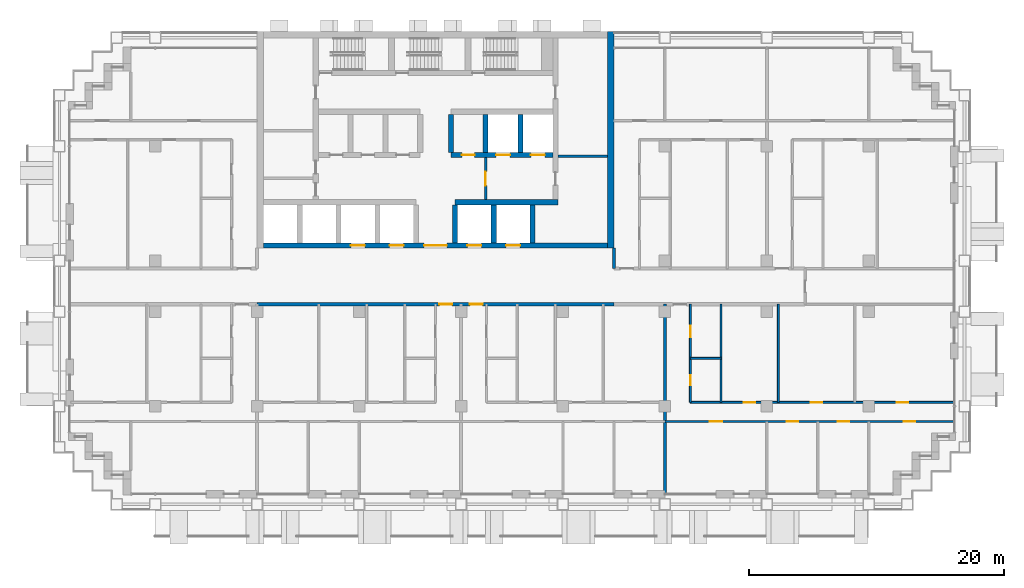
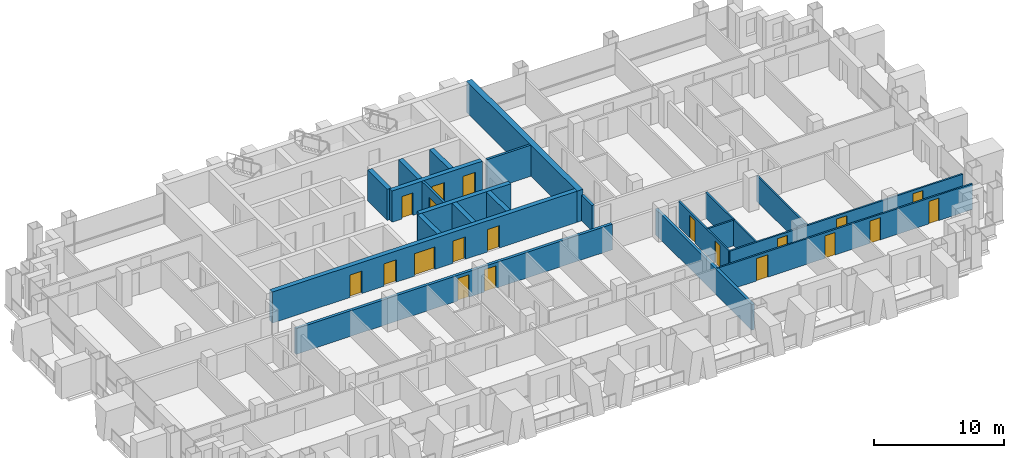
# One storey, part 11 of 17: 21 walls, 20 doors, 20 openings.
"""IFC4 building model written with IfcOpenShell, lengths in metres."""

from ifc_helpers import new_model, si_unit, direction, frame, frame_2d, origin, place, context, subcontext, project, spatial, rectangle, extrude, material, layer, layer_set, type_object, element, fill, save


model = new_model("IFC4")

# Units and contexts
model_context = context("Model", 3, precision=1e-05, world=origin(), true_north=direction((0.0, 1.0)))
body_context = subcontext(model_context, "Body", "Model", "MODEL_VIEW")
ifc_project = project(units=[si_unit("LENGTHUNIT", "METRE"), si_unit("AREAUNIT", "SQUARE_METRE"), si_unit("VOLUMEUNIT", "CUBIC_METRE"), si_unit("PLANEANGLEUNIT", "RADIAN"), si_unit("MASSUNIT", "GRAM", prefix="KILO")], contexts=[model_context])

# Site, building, storey
site_placement = place(None, origin())
site = spatial("IfcSite", under=ifc_project, at=site_placement, CompositionType="ELEMENT")
building_placement = place(site_placement, origin())
building = spatial("IfcBuilding", under=site, at=building_placement, Name="Vidyagriha Tower", CompositionType="ELEMENT")
storey_placement = place(building_placement, frame((0.0, 0.0, 87.10009765625)))
storey = spatial("IfcBuildingStorey", under=building, at=storey_placement, Name="L22", CompositionType="ELEMENT", Elevation=87.10009765625)

# Wall, openings, doors
ifc_material_1 = material(Name="Concrete C60/75", Category="concrete")
ifc_layer_1 = layer(ifc_material_1, 0.39990234375)
ifc_layer_set_1 = layer_set([ifc_layer_1], Name="Concrete C60/75")
wall_type_1 = type_object("IfcWallType", Name="Core shear wall 400 mm", PredefinedType="SHEAR", material=ifc_layer_set_1)
wall_1_placement = place(storey_placement, frame((-13.5, 3.199951171875, 0.0)))
wall_1 = element("IfcWall", 1, at=wall_1_placement, inside=storey, type_object=wall_type_1, Name="Core front wall", PredefinedType="SHEAR", context=body_context, shape_type="SweptSolid", body=[
    extrude(rectangle(XDim=27.0, YDim=0.39990234375, at=frame_2d((13.5, 0.0))), origin(), (0.0, 0.0, 1.0), 2.919921875),
])
opening_1_placement = place(wall_1_placement, frame((6.861083984375, 0.0, 0.0)))
opening_1 = element("IfcOpeningElement", 2, at=opening_1_placement, cuts=wall_1, Name="Opening LD22-01", PredefinedType="OPENING", context=body_context, shape_type="SweptSolid", body=[
    extrude(rectangle(XDim=1.10009765625, YDim=2.10009765625, at=frame_2d((0.550048828125, 1.050048828125))), frame((0.0, 0.2099609375, 0.0), z_axis=(0.0, -1.0, 0.0), x_axis=(1.0, 0.0, 0.0)), (0.0, 0.0, 1.0), 0.419921875),
])
opening_2_placement = place(wall_1_placement, frame((9.905517578125, 0.0, 0.0)))
opening_2 = element("IfcOpeningElement", 3, at=opening_2_placement, cuts=wall_1, Name="Opening LD22-02", PredefinedType="OPENING", context=body_context, shape_type="SweptSolid", body=[
    extrude(rectangle(XDim=1.10009765625, YDim=2.10009765625, at=frame_2d((0.550048828125, 1.050048828125))), frame((0.0, 0.2099609375, 0.0), z_axis=(0.0, -1.0, 0.0), x_axis=(1.0, 0.0, 0.0)), (0.0, 0.0, 1.0), 0.419921875),
])
opening_3_placement = place(wall_1_placement, frame((15.994384765625, 0.0, 0.0)))
opening_3 = element("IfcOpeningElement", 4, at=opening_3_placement, cuts=wall_1, Name="Opening LD22-03", PredefinedType="OPENING", context=body_context, shape_type="SweptSolid", body=[
    extrude(rectangle(XDim=1.10009765625, YDim=2.10009765625, at=frame_2d((0.550048828125, 1.050048828125))), frame((0.0, 0.2099609375, 0.0), z_axis=(0.0, -1.0, 0.0), x_axis=(1.0, 0.0, 0.0)), (0.0, 0.0, 1.0), 0.419921875),
])
opening_4_placement = place(wall_1_placement, frame((19.038818359375, 0.0, 0.0)))
opening_4 = element("IfcOpeningElement", 5, at=opening_4_placement, cuts=wall_1, Name="Opening LD22-04", PredefinedType="OPENING", context=body_context, shape_type="SweptSolid", body=[
    extrude(rectangle(XDim=1.10009765625, YDim=2.10009765625, at=frame_2d((0.550048828125, 1.050048828125))), frame((0.0, 0.2099609375, 0.0), z_axis=(0.0, -1.0, 0.0), x_axis=(1.0, 0.0, 0.0)), (0.0, 0.0, 1.0), 0.419921875),
])
opening_5_placement = place(wall_1_placement, frame((12.60009765625, 0.0, 0.0)))
opening_5 = element("IfcOpeningElement", 6, at=opening_5_placement, cuts=wall_1, Name="Opening D22-01", PredefinedType="OPENING", context=body_context, shape_type="SweptSolid", body=[
    extrude(rectangle(XDim=1.800048828125, YDim=2.10009765625, at=frame_2d((0.89990234375, 1.050048828125))), frame((0.0, 0.2099609375, 0.0), z_axis=(0.0, -1.0, 0.0), x_axis=(1.0, 0.0, 0.0)), (0.0, 0.0, 1.0), 0.419921875),
])
ifc_material_2 = material(Name="Hollow metal door leaf")
door_type_1 = type_object("IfcDoorType", Name="Core lobby double door 1800 x 2100 mm EI 60", OperationType="NOTDEFINED", PredefinedType="DOOR", material=ifc_material_2)
door_1_placement = place(opening_5_placement, frame((1.800048828125, 0.0, 0.0), z_axis=(0.0, 0.0, 1.0), x_axis=(-1.0, 0.0, 0.0)))
door_1 = element("IfcDoor", 7, at=door_1_placement, inside=storey, type_object=door_type_1, Name="Core entrance door L22", OperationType="DOUBLE_DOOR_SINGLE_SWING", OverallHeight=2.10009765625, OverallWidth=1.800048828125, PredefinedType="DOOR", context=body_context, shape_type="SweptSolid", body=[
    extrude(rectangle(XDim=1.800048828125, YDim=2.10009765625, at=frame_2d((0.89990234375, 1.050048828125))), frame((0.0, 0.02490234375, 0.0), z_axis=(0.0, -1.0, 0.0), x_axis=(1.0, 0.0, 0.0)), (0.0, 0.0, 1.0), 0.050048828125),
])
fill(opening_5, door_1)
ifc_material_3 = material(Name="Stainless steel sliding door panel", Category="steel")
door_type_2 = type_object("IfcDoorType", Name="Lift landing door 1100 x 2100 mm EI 90", OperationType="NOTDEFINED", PredefinedType="DOOR", material=ifc_material_3)
door_2_placement = place(opening_1_placement, origin())
door_2 = element("IfcDoor", 8, at=door_2_placement, inside=storey, type_object=door_type_2, Name="Landing door LR1 L22", OperationType="SLIDING_TO_LEFT", OverallHeight=2.10009765625, OverallWidth=1.10009765625, PredefinedType="DOOR", context=body_context, shape_type="SweptSolid", body=[
    extrude(rectangle(XDim=1.10009765625, YDim=2.10009765625, at=frame_2d((0.550048828125, 1.050048828125))), frame((0.0, 0.02490234375, 0.0), z_axis=(0.0, -1.0, 0.0), x_axis=(1.0, 0.0, 0.0)), (0.0, 0.0, 1.0), 0.050048828125),
])
fill(opening_1, door_2)
door_3_placement = place(opening_2_placement, origin())
door_3 = element("IfcDoor", 9, at=door_3_placement, inside=storey, type_object=door_type_2, Name="Landing door LR2 L22", OperationType="SLIDING_TO_LEFT", OverallHeight=2.10009765625, OverallWidth=1.10009765625, PredefinedType="DOOR", context=body_context, shape_type="SweptSolid", body=[
    extrude(rectangle(XDim=1.10009765625, YDim=2.10009765625, at=frame_2d((0.550048828125, 1.050048828125))), frame((0.0, 0.02490234375, 0.0), z_axis=(0.0, -1.0, 0.0), x_axis=(1.0, 0.0, 0.0)), (0.0, 0.0, 1.0), 0.050048828125),
])
fill(opening_2, door_3)
door_4_placement = place(opening_3_placement, origin())
door_4 = element("IfcDoor", 10, at=door_4_placement, inside=storey, type_object=door_type_2, Name="Landing door LR3 L22", OperationType="SLIDING_TO_LEFT", OverallHeight=2.10009765625, OverallWidth=1.10009765625, PredefinedType="DOOR", context=body_context, shape_type="SweptSolid", body=[
    extrude(rectangle(XDim=1.10009765625, YDim=2.10009765625, at=frame_2d((0.550048828125, 1.050048828125))), frame((0.0, 0.02490234375, 0.0), z_axis=(0.0, -1.0, 0.0), x_axis=(1.0, 0.0, 0.0)), (0.0, 0.0, 1.0), 0.050048828125),
])
fill(opening_3, door_4)
door_5_placement = place(opening_4_placement, origin())
door_5 = element("IfcDoor", 11, at=door_5_placement, inside=storey, type_object=door_type_2, Name="Landing door LR4 L22", OperationType="SLIDING_TO_LEFT", OverallHeight=2.10009765625, OverallWidth=1.10009765625, PredefinedType="DOOR", context=body_context, shape_type="SweptSolid", body=[
    extrude(rectangle(XDim=1.10009765625, YDim=2.10009765625, at=frame_2d((0.550048828125, 1.050048828125))), frame((0.0, 0.02490234375, 0.0), z_axis=(0.0, -1.0, 0.0), x_axis=(1.0, 0.0, 0.0)), (0.0, 0.0, 1.0), 0.050048828125),
])
fill(opening_4, door_5)

# Walls
wall_2_placement = place(storey_placement, frame((1.522216796875, 6.60009765625, 0.0)))
element("IfcWall", 12, at=wall_2_placement, inside=storey, type_object=wall_type_1, Name="Core lobby south wall east", PredefinedType="SHEAR", context=body_context, shape_type="SweptSolid", body=[
    extrude(rectangle(XDim=8.077880859375, YDim=0.39990234375, at=frame_2d((4.0390625, 0.0))), origin(), (0.0, 0.0, 1.0), 2.919921875),
])
for number, where, z_axis, x_axis, name in (
    (13, (1.522216796875, 3.39990234375, 0.0), (0.0, 0.0, 1.0), (0.0, 1.0, 0.0), "Core bay wall S5"),
    (14, (4.566650390625, 3.39990234375, 0.0), (0.0, 0.0, 1.0), (0.0, 1.0, 0.0), "Core bay wall S6"),
    (15, (7.611083984375, 3.39990234375, 0.0), (0.0, 0.0, 1.0), (0.0, 1.0, 0.0), "Core bay wall S7"),
):
    element("IfcWall", number, at=place(storey_placement, frame(where, z_axis=z_axis, x_axis=x_axis)), inside=storey, type_object=wall_type_1, Name=name, PredefinedType="SHEAR", context=body_context, shape_type="SweptSolid", body=[
        extrude(rectangle(XDim=3.0, YDim=0.39990234375, at=frame_2d((1.5, 0.0))), origin(), (0.0, 0.0, 1.0), 2.919921875),
    ])

# Wall, openings, doors
wall_3_placement = place(storey_placement, frame((1.199951171875, 10.300048828125, 0.0)))
wall_3 = element("IfcWall", 16, at=wall_3_placement, inside=storey, type_object=wall_type_1, Name="Core row N front wall", PredefinedType="SHEAR", context=body_context, shape_type="SweptSolid", body=[
    extrude(rectangle(XDim=8.0, YDim=0.39990234375, at=frame_2d((4.0, 0.0))), origin(), (0.0, 0.0, 1.0), 2.919921875),
])
opening_6_placement = place(wall_3_placement, frame((3.550048828125, 0.0, 0.0)))
opening_6 = element("IfcOpeningElement", 17, at=opening_6_placement, cuts=wall_3, Name="Opening LD22-05", PredefinedType="OPENING", context=body_context, shape_type="SweptSolid", body=[
    extrude(rectangle(XDim=1.10009765625, YDim=2.10009765625, at=frame_2d((0.550048828125, 1.050048828125))), frame((0.0, 0.2099609375, 0.0), z_axis=(0.0, -1.0, 0.0), x_axis=(1.0, 0.0, 0.0)), (0.0, 0.0, 1.0), 0.419921875),
])
opening_7_placement = place(wall_3_placement, frame((6.283203125, 0.0, 0.0)))
opening_7 = element("IfcOpeningElement", 18, at=opening_7_placement, cuts=wall_3, Name="Opening LD22-06", PredefinedType="OPENING", context=body_context, shape_type="SweptSolid", body=[
    extrude(rectangle(XDim=1.10009765625, YDim=2.10009765625, at=frame_2d((0.550048828125, 1.050048828125))), frame((0.0, 0.2099609375, 0.0), z_axis=(0.0, -1.0, 0.0), x_axis=(1.0, 0.0, 0.0)), (0.0, 0.0, 1.0), 0.419921875),
])
opening_8_placement = place(wall_3_placement, frame((0.86669921875, 0.0, 0.0)))
opening_8 = element("IfcOpeningElement", 19, at=opening_8_placement, cuts=wall_3, Name="Opening D22-05", PredefinedType="OPENING", context=body_context, shape_type="SweptSolid", body=[
    extrude(rectangle(XDim=1.0, YDim=2.10009765625, at=frame_2d((0.5, 1.050048828125))), frame((0.0, 0.2099609375, 0.0), z_axis=(0.0, -1.0, 0.0), x_axis=(1.0, 0.0, 0.0)), (0.0, 0.0, 1.0), 0.419921875),
])
ifc_material_4 = material(Name="Hollow metal door leaf")
door_type_3 = type_object("IfcDoorType", Name="Core room door 1000 x 2100 mm EI 60", OperationType="NOTDEFINED", PredefinedType="DOOR", material=ifc_material_4)
door_6_placement = place(opening_8_placement, frame((1.0, 0.0, 0.0), z_axis=(0.0, 0.0, 1.0), x_axis=(-1.0, 0.0, 0.0)))
door_6 = element("IfcDoor", 20, at=door_6_placement, inside=storey, type_object=door_type_3, Name="Door Electrical Room 22.17", OperationType="SINGLE_SWING_LEFT", OverallHeight=2.10009765625, OverallWidth=1.0, PredefinedType="DOOR", context=body_context, shape_type="SweptSolid", body=[
    extrude(rectangle(XDim=1.0, YDim=2.10009765625, at=frame_2d((0.5, 1.050048828125))), frame((0.0, 0.02490234375, 0.0), z_axis=(0.0, -1.0, 0.0), x_axis=(1.0, 0.0, 0.0)), (0.0, 0.0, 1.0), 0.050048828125),
])
fill(opening_8, door_6)
door_7_placement = place(opening_6_placement, origin())
door_7 = element("IfcDoor", 21, at=door_7_placement, inside=storey, type_object=door_type_2, Name="Landing door FF1 L22", OperationType="SLIDING_TO_LEFT", OverallHeight=2.10009765625, OverallWidth=1.10009765625, PredefinedType="DOOR", context=body_context, shape_type="SweptSolid", body=[
    extrude(rectangle(XDim=1.10009765625, YDim=2.10009765625, at=frame_2d((0.550048828125, 1.050048828125))), frame((0.0, 0.02490234375, 0.0), z_axis=(0.0, -1.0, 0.0), x_axis=(1.0, 0.0, 0.0)), (0.0, 0.0, 1.0), 0.050048828125),
])
fill(opening_6, door_7)
door_8_placement = place(opening_7_placement, origin())
door_8 = element("IfcDoor", 22, at=door_8_placement, inside=storey, type_object=door_type_2, Name="Landing door FF2 L22", OperationType="SLIDING_TO_LEFT", OverallHeight=2.10009765625, OverallWidth=1.10009765625, PredefinedType="DOOR", context=body_context, shape_type="SweptSolid", body=[
    extrude(rectangle(XDim=1.10009765625, YDim=2.10009765625, at=frame_2d((0.550048828125, 1.050048828125))), frame((0.0, 0.02490234375, 0.0), z_axis=(0.0, -1.0, 0.0), x_axis=(1.0, 0.0, 0.0)), (0.0, 0.0, 1.0), 0.050048828125),
])
fill(opening_7, door_8)

# Walls
for number, where, z_axis, x_axis, name in (
    (23, (1.199951171875, 10.5, 0.0), (0.0, 0.0, 1.0), (0.0, 1.0, 0.0), "Core bay wall N4"),
    (24, (3.933349609375, 10.5, 0.0), (0.0, 0.0, 1.0), (0.0, 1.0, 0.0), "Core bay wall N5"),
    (25, (6.666748046875, 10.5, 0.0), (0.0, 0.0, 1.0), (0.0, 1.0, 0.0), "Core bay wall N6"),
):
    element("IfcWall", number, at=place(storey_placement, frame(where, z_axis=z_axis, x_axis=x_axis)), inside=storey, type_object=wall_type_1, Name=name, PredefinedType="SHEAR", context=body_context, shape_type="SweptSolid", body=[
        extrude(rectangle(XDim=3.0, YDim=0.39990234375, at=frame_2d((1.5, 0.0))), origin(), (0.0, 0.0, 1.0), 2.919921875),
    ])
ifc_material_5 = material(Name="Concrete C60/75", Category="concrete")
ifc_layer_2 = layer(ifc_material_5, 0.5)
ifc_layer_set_2 = layer_set([ifc_layer_2], Name="Concrete C60/75")
wall_type_2 = type_object("IfcWallType", Name="Core shear wall 500 mm", PredefinedType="SHEAR", material=ifc_layer_set_2)
wall_4_placement = place(storey_placement, frame((13.75, 3.0, 0.0), z_axis=(0.0, 0.0, 1.0), x_axis=(0.0, 1.0, 0.0)))
element("IfcWall", 26, at=wall_4_placement, inside=storey, type_object=wall_type_2, Name="Core east wall", PredefinedType="SHEAR", context=body_context, shape_type="SweptSolid", body=[
    extrude(rectangle(XDim=17.0, YDim=0.5, at=frame_2d((8.5, 0.0))), origin(), (0.0, 0.0, 1.0), 2.919921875),
])

# Wall, openings, doors
ifc_material_6 = material(Name="Fired clay brick masonry", Category="masonry")
ifc_layer_3 = layer(ifc_material_6, 0.25)
ifc_layer_set_3 = layer_set([ifc_layer_3], Name="Fired clay brick masonry")
wall_type_3 = type_object("IfcWallType", Name="Fired clay brick corridor wall 250", PredefinedType="PARTITIONING", material=ifc_layer_set_3)
wall_5_placement = place(storey_placement, frame((14.0, -1.39990234375, 0.0), z_axis=(0.0, 0.0, 1.0), x_axis=(-1.0, 0.0, 0.0)))
wall_5 = element("IfcWall", 27, at=wall_5_placement, inside=storey, type_object=wall_type_3, Name="Wall all-L22-w125", PredefinedType="PARTITIONING", context=body_context, shape_type="SweptSolid", body=[
    extrude(rectangle(XDim=28.0, YDim=0.25, at=frame_2d((14.0, 0.0))), origin(), (0.0, 0.0, 1.0), 2.39990234375),
])
opening_9_placement = place(wall_5_placement, frame((12.68896484375, 0.0, 0.0)))
opening_9 = element("IfcOpeningElement", 28, at=opening_9_placement, cuts=wall_5, Name="Opening D22-30", PredefinedType="OPENING", context=body_context, shape_type="SweptSolid", body=[
    extrude(rectangle(XDim=1.0, YDim=2.10009765625, at=frame_2d((0.5, 1.050048828125))), frame((0.0, 0.135009765625, 0.0), z_axis=(0.0, -1.0, 0.0), x_axis=(1.0, 0.0, 0.0)), (0.0, 0.0, 1.0), 0.27001953125),
])
opening_10_placement = place(wall_5_placement, frame((10.31103515625, 0.0, 0.0)))
opening_10 = element("IfcOpeningElement", 29, at=opening_10_placement, cuts=wall_5, Name="Opening D22-39", PredefinedType="OPENING", context=body_context, shape_type="SweptSolid", body=[
    extrude(rectangle(XDim=1.0, YDim=2.10009765625, at=frame_2d((0.5, 1.050048828125))), frame((0.0, 0.135009765625, 0.0), z_axis=(0.0, -1.0, 0.0), x_axis=(1.0, 0.0, 0.0)), (0.0, 0.0, 1.0), 0.27001953125),
])
ifc_material_7 = material(Name="Fire-rated timber door leaf EI 60", Category="wood")
door_type_4 = type_object("IfcDoorType", Name="Flat entrance fire door 1000x2100", OperationType="NOTDEFINED", PredefinedType="DOOR", material=ifc_material_7)
door_9_placement = place(opening_9_placement, origin())
door_9 = element("IfcDoor", 30, at=door_9_placement, inside=storey, type_object=door_type_4, Name="Door D22-30", OperationType="SINGLE_SWING_LEFT", OverallHeight=2.10009765625, OverallWidth=1.0, PredefinedType="DOOR", context=body_context, shape_type="SweptSolid", body=[
    extrude(rectangle(XDim=1.0, YDim=2.10009765625, at=frame_2d((0.5, 1.050048828125))), frame((0.0, 0.02490234375, 0.0), z_axis=(0.0, -1.0, 0.0), x_axis=(1.0, 0.0, 0.0)), (0.0, 0.0, 1.0), 0.050048828125),
])
fill(opening_9, door_9)
door_10_placement = place(opening_10_placement, origin())
door_10 = element("IfcDoor", 31, at=door_10_placement, inside=storey, type_object=door_type_4, Name="Door D22-39", OperationType="SINGLE_SWING_RIGHT", OverallHeight=2.10009765625, OverallWidth=1.0, PredefinedType="DOOR", context=body_context, shape_type="SweptSolid", body=[
    extrude(rectangle(XDim=1.0, YDim=2.10009765625, at=frame_2d((0.5, 1.050048828125))), frame((0.0, 0.02490234375, 0.0), z_axis=(0.0, -1.0, 0.0), x_axis=(1.0, 0.0, 0.0)), (0.0, 0.0, 1.0), 0.050048828125),
])
fill(opening_10, door_10)

# Walls
wall_6_placement = place(storey_placement, frame((14.0, 1.39990234375, 0.0), z_axis=(0.0, 0.0, 1.0), x_axis=(0.0, 1.0, 0.0)))
element("IfcWall", 32, at=wall_6_placement, inside=storey, type_object=wall_type_3, Name="Wall all-L22-w127", PredefinedType="PARTITIONING", context=body_context, shape_type="SweptSolid", body=[
    extrude(rectangle(XDim=1.60009765625, YDim=0.25, at=frame_2d((0.800048828125, 0.0))), origin(), (0.0, 0.0, 1.0), 2.39990234375),
])
ifc_material_8 = material(Name="Fired clay brick masonry", Category="masonry")
ifc_layer_4 = layer(ifc_material_8, 0.25)
ifc_layer_set_4 = layer_set([ifc_layer_4], Name="Fired clay brick masonry")
wall_type_4 = type_object("IfcWallType", Name="Fired clay brick demising wall 250", PredefinedType="PARTITIONING", material=ifc_layer_set_4)
wall_7_placement = place(storey_placement, frame((18.0, -1.39990234375, 0.0), z_axis=(0.0, 0.0, 1.0), x_axis=(0.0, -1.0, 0.0)))
element("IfcWall", 33, at=wall_7_placement, inside=storey, type_object=wall_type_4, Name="Wall all-L22-w073", PredefinedType="PARTITIONING", context=body_context, shape_type="SweptSolid", body=[
    extrude(rectangle(XDim=14.81005859375, YDim=0.25, at=frame_2d((7.405029296875, 0.0))), origin(), (0.0, 0.0, 1.0), 2.39990234375),
])
ifc_material_9 = material(Name="Gypsum board partition")
ifc_layer_5 = layer(ifc_material_9, 0.14990234375)
ifc_layer_set_5 = layer_set([ifc_layer_5], Name="Gypsum board partition")
wall_type_5 = type_object("IfcWallType", Name="Gypsum board partition 150", PredefinedType="PARTITIONING", material=ifc_layer_set_5)
wall_8_placement = place(storey_placement, frame((22.39990234375, -5.64990234375, 0.0), z_axis=(0.0, 0.0, 1.0), x_axis=(-1.0, 0.0, 0.0)))
element("IfcWall", 34, at=wall_8_placement, inside=storey, type_object=wall_type_5, Name="Wall all-L22-w056", PredefinedType="PARTITIONING", context=body_context, shape_type="SweptSolid", body=[
    extrude(rectangle(XDim=2.39990234375, YDim=0.14990234375, at=frame_2d((1.199951171875, 0.0))), origin(), (0.0, 0.0, 1.0), 2.39990234375),
])
for number, where, z_axis, x_axis, name in (
    (35, (22.39990234375, -1.39990234375, 0.0), (0.0, 0.0, 1.0), (0.0, -1.0, 0.0), "Wall all-L22-w057"),
    (36, (26.89990234375, -1.39990234375, 0.0), (0.0, 0.0, 1.0), (0.0, -1.0, 0.0), "Wall all-L22-w058"),
):
    element("IfcWall", number, at=place(storey_placement, frame(where, z_axis=z_axis, x_axis=x_axis)), inside=storey, type_object=wall_type_5, Name=name, PredefinedType="PARTITIONING", context=body_context, shape_type="SweptSolid", body=[
        extrude(rectangle(XDim=7.7001953125, YDim=0.14990234375, at=frame_2d((3.85009765625, 0.0))), origin(), (0.0, 0.0, 1.0), 2.39990234375),
    ])

# Wall, openings, doors
wall_9_placement = place(storey_placement, frame((20.0, -9.10009765625, 0.0)))
wall_9 = element("IfcWall", 37, at=wall_9_placement, inside=storey, type_object=wall_type_5, Name="Wall all-L22-w060", PredefinedType="PARTITIONING", context=body_context, shape_type="SweptSolid", body=[
    extrude(rectangle(XDim=20.6201171875, YDim=0.14990234375, at=frame_2d((10.31005859375, 0.0))), origin(), (0.0, 0.0, 1.0), 2.39990234375),
])
opening_11_placement = place(wall_9_placement, frame((4.199951171875, 0.0, 0.0)))
opening_11 = element("IfcOpeningElement", 38, at=opening_11_placement, cuts=wall_9, Name="Opening D22-42", PredefinedType="OPENING", context=body_context, shape_type="SweptSolid", body=[
    extrude(rectangle(XDim=0.89990234375, YDim=2.10009765625, at=frame_2d((0.449951171875, 1.050048828125))), frame((0.0, 0.0849609375, 0.0), z_axis=(0.0, -1.0, 0.0), x_axis=(1.0, 0.0, 0.0)), (0.0, 0.0, 1.0), 0.169921875),
])
opening_12_placement = place(wall_9_placement, frame((9.449951171875, 0.0, 0.0)))
opening_12 = element("IfcOpeningElement", 39, at=opening_12_placement, cuts=wall_9, Name="Opening D22-43", PredefinedType="OPENING", context=body_context, shape_type="SweptSolid", body=[
    extrude(rectangle(XDim=0.89990234375, YDim=2.10009765625, at=frame_2d((0.449951171875, 1.050048828125))), frame((0.0, 0.0849609375, 0.0), z_axis=(0.0, -1.0, 0.0), x_axis=(1.0, 0.0, 0.0)), (0.0, 0.0, 1.0), 0.169921875),
])
opening_13_placement = place(wall_9_placement, frame((16.199951171875, 0.0, 0.0)))
opening_13 = element("IfcOpeningElement", 40, at=opening_13_placement, cuts=wall_9, Name="Opening D22-44", PredefinedType="OPENING", context=body_context, shape_type="SweptSolid", body=[
    extrude(rectangle(XDim=0.89990234375, YDim=2.10009765625, at=frame_2d((0.449951171875, 1.050048828125))), frame((0.0, 0.0849609375, 0.0), z_axis=(0.0, -1.0, 0.0), x_axis=(1.0, 0.0, 0.0)), (0.0, 0.0, 1.0), 0.169921875),
])
ifc_material_10 = material(Name="Timber door leaf", Category="wood")
door_type_5 = type_object("IfcDoorType", Name="Room door 900x2100", OperationType="NOTDEFINED", PredefinedType="DOOR", material=ifc_material_10)
door_11_placement = place(opening_11_placement, origin())
door_11 = element("IfcDoor", 41, at=door_11_placement, inside=storey, type_object=door_type_5, Name="Door D22-42", OperationType="SINGLE_SWING_RIGHT", OverallHeight=2.10009765625, OverallWidth=0.89990234375, PredefinedType="DOOR", context=body_context, shape_type="SweptSolid", body=[
    extrude(rectangle(XDim=0.89990234375, YDim=2.10009765625, at=frame_2d((0.449951171875, 1.050048828125))), frame((0.0, 0.02490234375, 0.0), z_axis=(0.0, -1.0, 0.0), x_axis=(1.0, 0.0, 0.0)), (0.0, 0.0, 1.0), 0.050048828125),
])
fill(opening_11, door_11)
door_12_placement = place(opening_12_placement, origin())
door_12 = element("IfcDoor", 42, at=door_12_placement, inside=storey, type_object=door_type_5, Name="Door D22-43", OperationType="SINGLE_SWING_RIGHT", OverallHeight=2.10009765625, OverallWidth=0.89990234375, PredefinedType="DOOR", context=body_context, shape_type="SweptSolid", body=[
    extrude(rectangle(XDim=0.89990234375, YDim=2.10009765625, at=frame_2d((0.449951171875, 1.050048828125))), frame((0.0, 0.02490234375, 0.0), z_axis=(0.0, -1.0, 0.0), x_axis=(1.0, 0.0, 0.0)), (0.0, 0.0, 1.0), 0.050048828125),
])
fill(opening_12, door_12)
door_13_placement = place(opening_13_placement, origin())
door_13 = element("IfcDoor", 43, at=door_13_placement, inside=storey, type_object=door_type_5, Name="Door D22-44", OperationType="SINGLE_SWING_RIGHT", OverallHeight=2.10009765625, OverallWidth=0.89990234375, PredefinedType="DOOR", context=body_context, shape_type="SweptSolid", body=[
    extrude(rectangle(XDim=0.89990234375, YDim=2.10009765625, at=frame_2d((0.449951171875, 1.050048828125))), frame((0.0, 0.02490234375, 0.0), z_axis=(0.0, -1.0, 0.0), x_axis=(1.0, 0.0, 0.0)), (0.0, 0.0, 1.0), 0.050048828125),
])
fill(opening_13, door_13)

wall_10_placement = place(storey_placement, frame((40.6201171875, -10.60009765625, 0.0), z_axis=(0.0, 0.0, 1.0), x_axis=(-1.0, 0.0, 0.0)))
wall_10 = element("IfcWall", 44, at=wall_10_placement, inside=storey, type_object=wall_type_5, Name="Wall all-L22-w064", PredefinedType="PARTITIONING", context=body_context, shape_type="SweptSolid", body=[
    extrude(rectangle(XDim=22.6201171875, YDim=0.14990234375, at=frame_2d((11.31005859375, 0.0))), origin(), (0.0, 0.0, 1.0), 2.39990234375),
])
opening_14_placement = place(wall_10_placement, frame((18.1201171875, 0.0, 0.0)))
opening_14 = element("IfcOpeningElement", 45, at=opening_14_placement, cuts=wall_10, Name="Opening D22-45", PredefinedType="OPENING", context=body_context, shape_type="SweptSolid", body=[
    extrude(rectangle(XDim=1.0, YDim=2.10009765625, at=frame_2d((0.5, 1.050048828125))), frame((0.0, 0.0849609375, 0.0), z_axis=(0.0, -1.0, 0.0), x_axis=(1.0, 0.0, 0.0)), (0.0, 0.0, 1.0), 0.169921875),
])
opening_15_placement = place(wall_10_placement, frame((12.169921875, 0.0, 0.0)))
opening_15 = element("IfcOpeningElement", 46, at=opening_15_placement, cuts=wall_10, Name="Opening D22-46", PredefinedType="OPENING", context=body_context, shape_type="SweptSolid", body=[
    extrude(rectangle(XDim=0.89990234375, YDim=2.10009765625, at=frame_2d((0.449951171875, 1.050048828125))), frame((0.0, 0.0849609375, 0.0), z_axis=(0.0, -1.0, 0.0), x_axis=(1.0, 0.0, 0.0)), (0.0, 0.0, 1.0), 0.169921875),
])
opening_16_placement = place(wall_10_placement, frame((8.169921875, 0.0, 0.0)))
opening_16 = element("IfcOpeningElement", 47, at=opening_16_placement, cuts=wall_10, Name="Opening D22-47", PredefinedType="OPENING", context=body_context, shape_type="SweptSolid", body=[
    extrude(rectangle(XDim=0.89990234375, YDim=2.10009765625, at=frame_2d((0.449951171875, 1.050048828125))), frame((0.0, 0.0849609375, 0.0), z_axis=(0.0, -1.0, 0.0), x_axis=(1.0, 0.0, 0.0)), (0.0, 0.0, 1.0), 0.169921875),
])
opening_17_placement = place(wall_10_placement, frame((2.969970703125, 0.0, 0.0)))
opening_17 = element("IfcOpeningElement", 48, at=opening_17_placement, cuts=wall_10, Name="Opening D22-48", PredefinedType="OPENING", context=body_context, shape_type="SweptSolid", body=[
    extrude(rectangle(XDim=0.89990234375, YDim=2.10009765625, at=frame_2d((0.449951171875, 1.050048828125))), frame((0.0, 0.0849609375, 0.0), z_axis=(0.0, -1.0, 0.0), x_axis=(1.0, 0.0, 0.0)), (0.0, 0.0, 1.0), 0.169921875),
])
ifc_material_11 = material(Name="Timber door leaf", Category="wood")
door_type_6 = type_object("IfcDoorType", Name="Room door 1000x2100", OperationType="NOTDEFINED", PredefinedType="DOOR", material=ifc_material_11)
door_14_placement = place(opening_14_placement, origin())
door_14 = element("IfcDoor", 49, at=door_14_placement, inside=storey, type_object=door_type_6, Name="Door D22-45", OperationType="SINGLE_SWING_RIGHT", OverallHeight=2.10009765625, OverallWidth=1.0, PredefinedType="DOOR", context=body_context, shape_type="SweptSolid", body=[
    extrude(rectangle(XDim=1.0, YDim=2.10009765625, at=frame_2d((0.5, 1.050048828125))), frame((0.0, 0.02490234375, 0.0), z_axis=(0.0, -1.0, 0.0), x_axis=(1.0, 0.0, 0.0)), (0.0, 0.0, 1.0), 0.050048828125),
])
fill(opening_14, door_14)
door_15_placement = place(opening_15_placement, origin())
door_15 = element("IfcDoor", 50, at=door_15_placement, inside=storey, type_object=door_type_5, Name="Door D22-46", OperationType="SINGLE_SWING_RIGHT", OverallHeight=2.10009765625, OverallWidth=0.89990234375, PredefinedType="DOOR", context=body_context, shape_type="SweptSolid", body=[
    extrude(rectangle(XDim=0.89990234375, YDim=2.10009765625, at=frame_2d((0.449951171875, 1.050048828125))), frame((0.0, 0.02490234375, 0.0), z_axis=(0.0, -1.0, 0.0), x_axis=(1.0, 0.0, 0.0)), (0.0, 0.0, 1.0), 0.050048828125),
])
fill(opening_15, door_15)
door_16_placement = place(opening_16_placement, origin())
door_16 = element("IfcDoor", 51, at=door_16_placement, inside=storey, type_object=door_type_5, Name="Door D22-47", OperationType="SINGLE_SWING_RIGHT", OverallHeight=2.10009765625, OverallWidth=0.89990234375, PredefinedType="DOOR", context=body_context, shape_type="SweptSolid", body=[
    extrude(rectangle(XDim=0.89990234375, YDim=2.10009765625, at=frame_2d((0.449951171875, 1.050048828125))), frame((0.0, 0.02490234375, 0.0), z_axis=(0.0, -1.0, 0.0), x_axis=(1.0, 0.0, 0.0)), (0.0, 0.0, 1.0), 0.050048828125),
])
fill(opening_16, door_16)
door_17_placement = place(opening_17_placement, origin())
door_17 = element("IfcDoor", 52, at=door_17_placement, inside=storey, type_object=door_type_5, Name="Door D22-48", OperationType="SINGLE_SWING_LEFT", OverallHeight=2.10009765625, OverallWidth=0.89990234375, PredefinedType="DOOR", context=body_context, shape_type="SweptSolid", body=[
    extrude(rectangle(XDim=0.89990234375, YDim=2.10009765625, at=frame_2d((0.449951171875, 1.050048828125))), frame((0.0, 0.02490234375, 0.0), z_axis=(0.0, -1.0, 0.0), x_axis=(1.0, 0.0, 0.0)), (0.0, 0.0, 1.0), 0.050048828125),
])
fill(opening_17, door_17)

ifc_material_12 = material(Name="Moisture resistant gypsum board partition")
ifc_layer_6 = layer(ifc_material_12, 0.14990234375)
ifc_layer_set_6 = layer_set([ifc_layer_6], Name="Moisture resistant gypsum board partition")
wall_type_6 = type_object("IfcWallType", Name="Gypsum board wet-area partition 150", PredefinedType="PARTITIONING", material=ifc_layer_set_6)
wall_11_placement = place(storey_placement, frame((20.0, -1.39990234375, 0.0), z_axis=(0.0, 0.0, 1.0), x_axis=(0.0, -1.0, 0.0)))
wall_11 = element("IfcWall", 53, at=wall_11_placement, inside=storey, type_object=wall_type_6, Name="Wall all-L22-w053", PredefinedType="PARTITIONING", context=body_context, shape_type="SweptSolid", body=[
    extrude(rectangle(XDim=7.7001953125, YDim=0.14990234375, at=frame_2d((3.85009765625, 0.0))), origin(), (0.0, 0.0, 1.0), 2.39990234375),
])
opening_18_placement = place(wall_11_placement, frame((1.675048828125, 0.0, 0.0)))
opening_18 = element("IfcOpeningElement", 54, at=opening_18_placement, cuts=wall_11, Name="Opening D22-40", PredefinedType="OPENING", context=body_context, shape_type="SweptSolid", body=[
    extrude(rectangle(XDim=0.89990234375, YDim=2.10009765625, at=frame_2d((0.449951171875, 1.050048828125))), frame((0.0, 0.0849609375, 0.0), z_axis=(0.0, -1.0, 0.0), x_axis=(1.0, 0.0, 0.0)), (0.0, 0.0, 1.0), 0.169921875),
])
opening_19_placement = place(wall_11_placement, frame((5.574951171875, 0.0, 0.0)))
opening_19 = element("IfcOpeningElement", 55, at=opening_19_placement, cuts=wall_11, Name="Opening D22-41", PredefinedType="OPENING", context=body_context, shape_type="SweptSolid", body=[
    extrude(rectangle(XDim=0.800048828125, YDim=2.10009765625, at=frame_2d((0.39990234375, 1.050048828125))), frame((0.0, 0.0849609375, 0.0), z_axis=(0.0, -1.0, 0.0), x_axis=(1.0, 0.0, 0.0)), (0.0, 0.0, 1.0), 0.169921875),
])
ifc_material_13 = material(Name="Timber door leaf", Category="wood")
door_type_7 = type_object("IfcDoorType", Name="Bathroom door 800x2100", OperationType="NOTDEFINED", PredefinedType="DOOR", material=ifc_material_13)
door_18_placement = place(opening_19_placement, origin())
door_18 = element("IfcDoor", 56, at=door_18_placement, inside=storey, type_object=door_type_7, Name="Door D22-41", OperationType="SINGLE_SWING_RIGHT", OverallHeight=2.10009765625, OverallWidth=0.800048828125, PredefinedType="DOOR", context=body_context, shape_type="SweptSolid", body=[
    extrude(rectangle(XDim=0.800048828125, YDim=2.10009765625, at=frame_2d((0.39990234375, 1.050048828125))), frame((0.0, 0.02490234375, 0.0), z_axis=(0.0, -1.0, 0.0), x_axis=(1.0, 0.0, 0.0)), (0.0, 0.0, 1.0), 0.050048828125),
])
fill(opening_19, door_18)
ifc_material_14 = material(Name="Timber door leaf", Category="wood")
door_type_8 = type_object("IfcDoorType", Name="Kitchen door 900x2100", OperationType="NOTDEFINED", PredefinedType="DOOR", material=ifc_material_14)
door_19_placement = place(opening_18_placement, origin())
door_19 = element("IfcDoor", 57, at=door_19_placement, inside=storey, type_object=door_type_8, Name="Door D22-40", OperationType="SINGLE_SWING_LEFT", OverallHeight=2.10009765625, OverallWidth=0.89990234375, PredefinedType="DOOR", context=body_context, shape_type="SweptSolid", body=[
    extrude(rectangle(XDim=0.89990234375, YDim=2.10009765625, at=frame_2d((0.449951171875, 1.050048828125))), frame((0.0, 0.02490234375, 0.0), z_axis=(0.0, -1.0, 0.0), x_axis=(1.0, 0.0, 0.0)), (0.0, 0.0, 1.0), 0.050048828125),
])
fill(opening_18, door_19)

# Wall, opening, door
ifc_material_15 = material(Name="Blockwork 15 MPa", Category="masonry")
ifc_layer_7 = layer(ifc_material_15, 0.199951171875)
ifc_layer_set_7 = layer_set([ifc_layer_7], Name="Blockwork 15 MPa")
wall_type_7 = type_object("IfcWallType", Name="Service room partition 200 mm", PredefinedType="PARTITIONING", material=ifc_layer_set_7)
wall_12_placement = place(storey_placement, frame((3.933349609375, 6.800048828125, 0.0), z_axis=(0.0, 0.0, 1.0), x_axis=(0.0, 1.0, 0.0)))
wall_12 = element("IfcWall", 58, at=wall_12_placement, inside=storey, type_object=wall_type_7, Name="Fire-fighting lobby west wall", PredefinedType="PARTITIONING", context=body_context, shape_type="SweptSolid", body=[
    extrude(rectangle(XDim=3.300048828125, YDim=0.199951171875, at=frame_2d((1.64990234375, 0.0))), origin(), (0.0, 0.0, 1.0), 2.919921875),
])
opening_20_placement = place(wall_12_placement, frame((1.10009765625, 0.0, 0.0)))
opening_20 = element("IfcOpeningElement", 59, at=opening_20_placement, cuts=wall_12, Name="Opening D22-06", PredefinedType="OPENING", context=body_context, shape_type="SweptSolid", body=[
    extrude(rectangle(XDim=1.10009765625, YDim=2.10009765625, at=frame_2d((0.550048828125, 1.050048828125))), frame((0.0, 0.10986328125, 0.0), z_axis=(0.0, -1.0, 0.0), x_axis=(1.0, 0.0, 0.0)), (0.0, 0.0, 1.0), 0.219970703125),
])
ifc_material_16 = material(Name="Hollow metal door leaf")
door_type_9 = type_object("IfcDoorType", Name="Fire-fighting lobby door 1100 x 2100 mm EI 90", OperationType="NOTDEFINED", PredefinedType="DOOR", material=ifc_material_16)
door_20_placement = place(opening_20_placement, origin())
door_20 = element("IfcDoor", 60, at=door_20_placement, inside=storey, type_object=door_type_9, Name="Fire-fighting lobby door L22", OperationType="SINGLE_SWING_RIGHT", OverallHeight=2.10009765625, OverallWidth=1.10009765625, PredefinedType="DOOR", context=body_context, shape_type="SweptSolid", body=[
    extrude(rectangle(XDim=1.10009765625, YDim=2.10009765625, at=frame_2d((0.550048828125, 1.050048828125))), frame((0.0, 0.02490234375, 0.0), z_axis=(0.0, -1.0, 0.0), x_axis=(1.0, 0.0, 0.0)), (0.0, 0.0, 1.0), 0.050048828125),
])
fill(opening_20, door_20)

# Wall
wall_13_placement = place(storey_placement, frame((9.60009765625, 10.199951171875, 0.0)))
element("IfcWall", 61, at=wall_13_placement, inside=storey, type_object=wall_type_7, Name="Core room partition E1", PredefinedType="PARTITIONING", context=body_context, shape_type="SweptSolid", body=[
    extrude(rectangle(XDim=3.89990234375, YDim=0.199951171875, at=frame_2d((1.949951171875, 0.0))), origin(), (0.0, 0.0, 1.0), 2.919921875),
])

save(model, "model.ifc")
